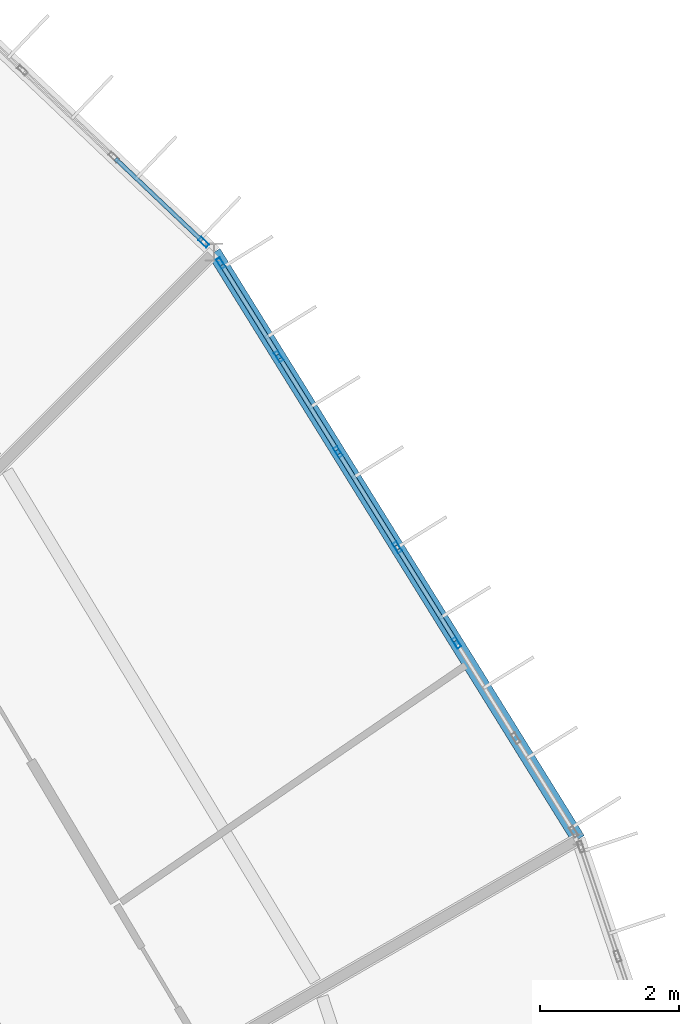
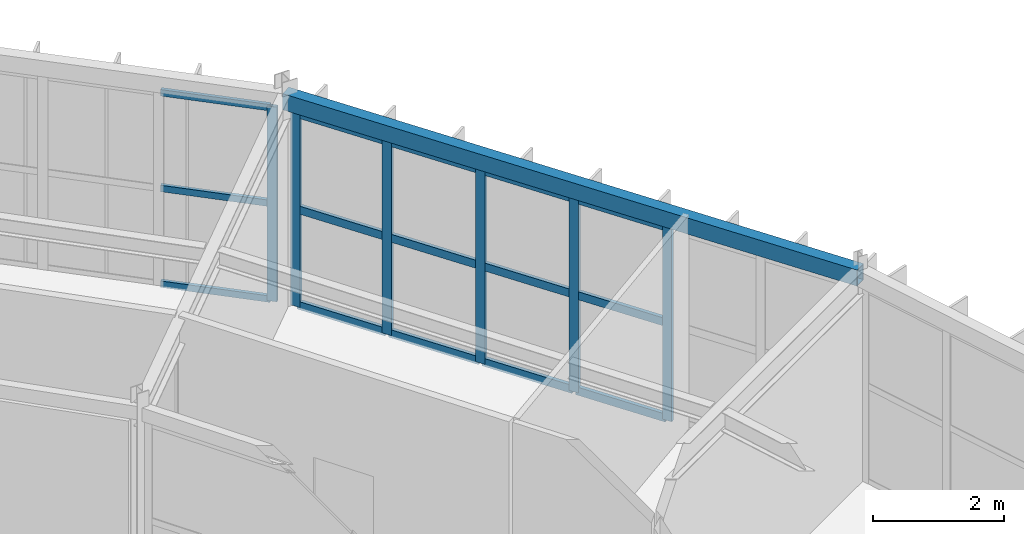
# One storey, part 98 of 157: 21 members, 1 beam, 2 elements without a shape of their own.
"""IFC4 building model written with IfcOpenShell, lengths in metres."""

from ifc_helpers import new_model, si_unit, direction, frame, origin, origin_2d, place, context, subcontext, project, spatial, hollow_rectangle, extrude, material, material_profile, profile_set, type_object, element, aggregate, save


model = new_model("IFC4")

# Units and contexts
model_context = context("Model", 3, precision=1e-05, world=origin(), true_north=direction((0.0, 1.0)))
body_context = subcontext(model_context, "Body", "Model", "MODEL_VIEW")
ifc_project = project(units=[si_unit("LENGTHUNIT", "METRE"), si_unit("AREAUNIT", "SQUARE_METRE"), si_unit("VOLUMEUNIT", "CUBIC_METRE"), si_unit("PLANEANGLEUNIT", "RADIAN"), si_unit("MASSUNIT", "GRAM", prefix="KILO")], contexts=[model_context])

# Site, building, storey
site_placement = place(None, origin())
site = spatial("IfcSite", under=ifc_project, at=site_placement, CompositionType="ELEMENT")
building_placement = place(site_placement, origin())
building = spatial("IfcBuilding", under=site, at=building_placement, Name="Karori Crest Natural Sciences Institute", CompositionType="ELEMENT")
storey_placement = place(building_placement, frame((0.0, 0.0, 13.300048828125)))
storey = spatial("IfcBuildingStorey", under=building, at=storey_placement, Name="L03", CompositionType="ELEMENT", Elevation=13.300048828125)

# Beam
ifc_material_1 = material(Name="Hollow structural steel AS/NZS 1163 Grade C350", Category="steel")
ifc_material_profile_1 = material_profile(ifc_material_1, hollow_rectangle(XDim=0.199951171875, YDim=0.300048828125, WallThickness=0.010009765625, at=origin_2d()), Name="RHS300x200x10")
ifc_profile_set_1 = profile_set([ifc_material_profile_1], Name="Hollow structural steel AS/NZS 1163 Grade C350")
beam_type = type_object("IfcBeamType", Name="BT-15", PredefinedType="SPANDREL", material=ifc_profile_set_1)
beam_placement = place(storey_placement, frame((94.978759765625, 70.300048828125, 3.7900390625), z_axis=(-0.527315195609, 0.849669750244, 0.0), x_axis=(-0.849669750244, -0.527315195609, 0.0)))
element("IfcBeam", 1, at=beam_placement, inside=storey, type_object=beam_type, Name="Beam B-0367", PredefinedType="SPANDREL", context=body_context, shape_type="SweptSolid", body=[
    extrude(hollow_rectangle(XDim=0.199951171875, YDim=0.300048828125, WallThickness=0.010009765625, at=origin_2d()), origin(), (0.0, 0.0, 1.0), 9.945068359375),
])

# Curtain wall, members
ifc_material_2 = material(Name="Anodised architectural aluminium 6063-T6", Category="aluminium")
curtain_wall_type_1 = type_object("IfcCurtainWallType", Name="CWT-03", PredefinedType="NOTDEFINED", material=ifc_material_2)
curtain_wall_1_placement = place(storey_placement, origin())
curtain_wall_1 = element("IfcCurtainWall", 2, at=curtain_wall_1_placement, inside=storey, type_object=curtain_wall_type_1, Name="Curtain wall CW-0103", PredefinedType="NOTDEFINED")
ifc_material_profile_2 = material_profile(ifc_material_2, hollow_rectangle(XDim=0.06494140625, YDim=0.159912109375, WallThickness=0.00390625, at=origin_2d()), Name="CWM160x65x4")
ifc_profile_set_2 = profile_set([ifc_material_profile_2], Name="Anodised architectural aluminium 6063-T6")
member_type_1 = type_object("IfcMemberType", Name="CWM-01", PredefinedType="MULLION", material=ifc_profile_set_2)
member_1_placement = place(storey_placement, frame((89.831298828125, 78.593994140625, 0.0), z_axis=(0.0, 0.0, 1.0), x_axis=(0.849661985715, 0.527327706489, 0.0)))
member_1 = element("IfcMember", 3, at=member_1_placement, type_object=member_type_1, Name="CW-0103 mullion 1", PredefinedType="MULLION", context=body_context, shape_type="SweptSolid", body=[
    extrude(hollow_rectangle(XDim=0.06494140625, YDim=0.159912109375, WallThickness=0.00390625, at=origin_2d()), origin(), (0.0, 0.0, 1.0), 3.625),
])
member_2_placement = place(storey_placement, frame((90.666748046875, 77.248046875, 0.0), z_axis=(0.0, 0.0, 1.0), x_axis=(0.849661985715, 0.527327706489, 0.0)))
member_2 = element("IfcMember", 4, at=member_2_placement, type_object=member_type_1, Name="CW-0103 mullion 2", PredefinedType="MULLION", context=body_context, shape_type="SweptSolid", body=[
    extrude(hollow_rectangle(XDim=0.06494140625, YDim=0.159912109375, WallThickness=0.00390625, at=origin_2d()), origin(), (0.0, 0.0, 1.0), 3.625),
])
member_3_placement = place(storey_placement, frame((91.519287109375, 75.874267578125, 0.0), z_axis=(0.0, 0.0, 1.0), x_axis=(0.849661985715, 0.527327706489, 0.0)))
member_3 = element("IfcMember", 5, at=member_3_placement, type_object=member_type_1, Name="CW-0103 mullion 3", PredefinedType="MULLION", context=body_context, shape_type="SweptSolid", body=[
    extrude(hollow_rectangle(XDim=0.06494140625, YDim=0.159912109375, WallThickness=0.00390625, at=origin_2d()), origin(), (0.0, 0.0, 1.0), 3.625),
])
member_4_placement = place(storey_placement, frame((92.371826171875, 74.50048828125, 0.0), z_axis=(0.0, 0.0, 1.0), x_axis=(0.849661985715, 0.527327706489, 0.0)))
member_4 = element("IfcMember", 6, at=member_4_placement, type_object=member_type_1, Name="CW-0103 mullion 4", PredefinedType="MULLION", context=body_context, shape_type="SweptSolid", body=[
    extrude(hollow_rectangle(XDim=0.06494140625, YDim=0.159912109375, WallThickness=0.00390625, at=origin_2d()), origin(), (0.0, 0.0, 1.0), 3.625),
])
member_5_placement = place(storey_placement, frame((93.224365234375, 73.126708984375, 0.0), z_axis=(0.0, 0.0, 1.0), x_axis=(0.849661985715, 0.527327706489, 0.0)))
member_5 = element("IfcMember", 7, at=member_5_placement, type_object=member_type_1, Name="CW-0103 mullion 5", PredefinedType="MULLION", context=body_context, shape_type="SweptSolid", body=[
    extrude(hollow_rectangle(XDim=0.06494140625, YDim=0.159912109375, WallThickness=0.00390625, at=origin_2d()), origin(), (0.0, 0.0, 1.0), 3.625),
])

curtain_wall_type_2 = type_object("IfcCurtainWallType", Name="CWT-04", PredefinedType="NOTDEFINED", material=ifc_material_2)
curtain_wall_2_placement = place(storey_placement, origin())
curtain_wall_2 = element("IfcCurtainWall", 8, at=curtain_wall_2_placement, inside=storey, type_object=curtain_wall_type_2, Name="Curtain wall CW-0105", PredefinedType="NOTDEFINED")
member_6_placement = place(storey_placement, frame((89.58447265625, 78.892333984375, 0.0), z_axis=(0.0, 0.0, 1.0), x_axis=(0.688252251648, 0.725471459192, 0.0)))
member_6 = element("IfcMember", 9, at=member_6_placement, type_object=member_type_1, Name="CW-0105 mullion 6", PredefinedType="MULLION", context=body_context, shape_type="SweptSolid", body=[
    extrude(hollow_rectangle(XDim=0.06494140625, YDim=0.159912109375, WallThickness=0.00390625, at=origin_2d()), origin(), (0.0, 0.0, 1.0), 3.625),
])
ifc_material_profile_3 = material_profile(ifc_material_2, hollow_rectangle(XDim=0.06005859375, YDim=0.1201171875, WallThickness=0.00390625, at=origin_2d()), Name="CWT120x60x4")
ifc_profile_set_3 = profile_set([ifc_material_profile_3], Name="Anodised architectural aluminium 6063-T6")
member_type_2 = type_object("IfcMemberType", Name="CWT-TR1", PredefinedType="USERDEFINED", material=ifc_profile_set_3)
member_7_placement = place(storey_placement, frame((88.315185546875, 80.0966796875, 0.030029296875), z_axis=(0.725418188491, -0.688308398762, 0.0), x_axis=(0.688308398762, 0.725418188491, 0.0)))
member_7 = element("IfcMember", 10, at=member_7_placement, type_object=member_type_2, Name="CW-0105 transom 5.1", ObjectType="TRANSOM", PredefinedType="USERDEFINED", context=body_context, shape_type="SweptSolid", body=[
    extrude(hollow_rectangle(XDim=0.06005859375, YDim=0.1201171875, WallThickness=0.00390625, at=origin_2d()), origin(), (0.0, 0.0, 1.0), 1.717041015625),
])
member_8_placement = place(storey_placement, frame((88.315185546875, 80.0966796875, 1.8125), z_axis=(0.725418188491, -0.688308398762, 0.0), x_axis=(0.688308398762, 0.725418188491, 0.0)))
member_8 = element("IfcMember", 11, at=member_8_placement, type_object=member_type_2, Name="CW-0105 transom 5.2", ObjectType="TRANSOM", PredefinedType="USERDEFINED", context=body_context, shape_type="SweptSolid", body=[
    extrude(hollow_rectangle(XDim=0.06005859375, YDim=0.1201171875, WallThickness=0.00390625, at=origin_2d()), origin(), (0.0, 0.0, 1.0), 1.717041015625),
])
member_9_placement = place(storey_placement, frame((88.315185546875, 80.0966796875, 3.594970703125), z_axis=(0.725418188491, -0.688308398762, 0.0), x_axis=(0.688308398762, 0.725418188491, 0.0)))
member_9 = element("IfcMember", 12, at=member_9_placement, type_object=member_type_2, Name="CW-0105 transom 5.3", ObjectType="TRANSOM", PredefinedType="USERDEFINED", context=body_context, shape_type="SweptSolid", body=[
    extrude(hollow_rectangle(XDim=0.06005859375, YDim=0.1201171875, WallThickness=0.00390625, at=origin_2d()), origin(), (0.0, 0.0, 1.0), 1.717041015625),
])
aggregate(curtain_wall_2, [member_6, member_7, member_8, member_9])

# Member
ifc_material_profile_4 = material_profile(ifc_material_2, hollow_rectangle(XDim=0.06494140625, YDim=0.14990234375, WallThickness=0.00390625, at=origin_2d()), Name="CWT150x65x4")
ifc_profile_set_4 = profile_set([ifc_material_profile_4], Name="Anodised architectural aluminium 6063-T6")
member_type_3 = type_object("IfcMemberType", Name="CWT-TR2", PredefinedType="USERDEFINED", material=ifc_profile_set_4)
member_10_placement = place(storey_placement, frame((89.848388671875, 78.56640625, 0.032470703125), z_axis=(0.527410863432, -0.84961037019, 0.0), x_axis=(0.84961037019, 0.527410863432, 0.0)))
member_10 = element("IfcMember", 13, at=member_10_placement, type_object=member_type_3, Name="CW-0103 transom 1.1", ObjectType="TRANSOM", PredefinedType="USERDEFINED", context=body_context, shape_type="SweptSolid", body=[
    extrude(hollow_rectangle(XDim=0.06494140625, YDim=0.14990234375, WallThickness=0.00390625, at=origin_2d()), origin(), (0.0, 0.0, 1.0), 1.519287109375),
])

member_11_placement = place(storey_placement, frame((89.848388671875, 78.56640625, 1.8125), z_axis=(0.527410863432, -0.84961037019, 0.0), x_axis=(0.84961037019, 0.527410863432, 0.0)))
member_11 = element("IfcMember", 14, at=member_11_placement, type_object=member_type_3, Name="CW-0103 transom 1.2", ObjectType="TRANSOM", PredefinedType="USERDEFINED", context=body_context, shape_type="SweptSolid", body=[
    extrude(hollow_rectangle(XDim=0.06494140625, YDim=0.14990234375, WallThickness=0.00390625, at=origin_2d()), origin(), (0.0, 0.0, 1.0), 1.519287109375),
])

member_12_placement = place(storey_placement, frame((89.848388671875, 78.56640625, 3.592529296875), z_axis=(0.527410863432, -0.84961037019, 0.0), x_axis=(0.84961037019, 0.527410863432, 0.0)))
member_12 = element("IfcMember", 15, at=member_12_placement, type_object=member_type_3, Name="CW-0103 transom 1.3", ObjectType="TRANSOM", PredefinedType="USERDEFINED", context=body_context, shape_type="SweptSolid", body=[
    extrude(hollow_rectangle(XDim=0.06494140625, YDim=0.14990234375, WallThickness=0.00390625, at=origin_2d()), origin(), (0.0, 0.0, 1.0), 1.519287109375),
])

member_13_placement = place(storey_placement, frame((90.683837890625, 77.220458984375, 0.032470703125), z_axis=(0.527323700977, -0.849664471652, 0.0), x_axis=(0.849664471652, 0.527323700977, 0.0)))
member_13 = element("IfcMember", 16, at=member_13_placement, type_object=member_type_3, Name="CW-0103 transom 2.1", ObjectType="TRANSOM", PredefinedType="USERDEFINED", context=body_context, shape_type="SweptSolid", body=[
    extrude(hollow_rectangle(XDim=0.06494140625, YDim=0.14990234375, WallThickness=0.00390625, at=origin_2d()), origin(), (0.0, 0.0, 1.0), 1.552001953125),
])

member_14_placement = place(storey_placement, frame((90.683837890625, 77.220458984375, 1.8125), z_axis=(0.527323700977, -0.849664471652, 0.0), x_axis=(0.849664471652, 0.527323700977, 0.0)))
member_14 = element("IfcMember", 17, at=member_14_placement, type_object=member_type_3, Name="CW-0103 transom 2.2", ObjectType="TRANSOM", PredefinedType="USERDEFINED", context=body_context, shape_type="SweptSolid", body=[
    extrude(hollow_rectangle(XDim=0.06494140625, YDim=0.14990234375, WallThickness=0.00390625, at=origin_2d()), origin(), (0.0, 0.0, 1.0), 1.552001953125),
])

member_15_placement = place(storey_placement, frame((90.683837890625, 77.220458984375, 3.592529296875), z_axis=(0.527323700977, -0.849664471652, 0.0), x_axis=(0.849664471652, 0.527323700977, 0.0)))
member_15 = element("IfcMember", 18, at=member_15_placement, type_object=member_type_3, Name="CW-0103 transom 2.3", ObjectType="TRANSOM", PredefinedType="USERDEFINED", context=body_context, shape_type="SweptSolid", body=[
    extrude(hollow_rectangle(XDim=0.06494140625, YDim=0.14990234375, WallThickness=0.00390625, at=origin_2d()), origin(), (0.0, 0.0, 1.0), 1.552001953125),
])

member_16_placement = place(storey_placement, frame((91.536376953125, 75.8466796875, 0.032470703125), z_axis=(0.527323700977, -0.849664471652, 0.0), x_axis=(0.849664471652, 0.527323700977, 0.0)))
member_16 = element("IfcMember", 19, at=member_16_placement, type_object=member_type_3, Name="CW-0103 transom 3.1", ObjectType="TRANSOM", PredefinedType="USERDEFINED", context=body_context, shape_type="SweptSolid", body=[
    extrude(hollow_rectangle(XDim=0.06494140625, YDim=0.14990234375, WallThickness=0.00390625, at=origin_2d()), origin(), (0.0, 0.0, 1.0), 1.552001953125),
])

member_17_placement = place(storey_placement, frame((91.536376953125, 75.8466796875, 1.8125), z_axis=(0.527323700977, -0.849664471652, 0.0), x_axis=(0.849664471652, 0.527323700977, 0.0)))
member_17 = element("IfcMember", 20, at=member_17_placement, type_object=member_type_3, Name="CW-0103 transom 3.2", ObjectType="TRANSOM", PredefinedType="USERDEFINED", context=body_context, shape_type="SweptSolid", body=[
    extrude(hollow_rectangle(XDim=0.06494140625, YDim=0.14990234375, WallThickness=0.00390625, at=origin_2d()), origin(), (0.0, 0.0, 1.0), 1.552001953125),
])

member_18_placement = place(storey_placement, frame((91.536376953125, 75.8466796875, 3.592529296875), z_axis=(0.527323700977, -0.849664471652, 0.0), x_axis=(0.849664471652, 0.527323700977, 0.0)))
member_18 = element("IfcMember", 21, at=member_18_placement, type_object=member_type_3, Name="CW-0103 transom 3.3", ObjectType="TRANSOM", PredefinedType="USERDEFINED", context=body_context, shape_type="SweptSolid", body=[
    extrude(hollow_rectangle(XDim=0.06494140625, YDim=0.14990234375, WallThickness=0.00390625, at=origin_2d()), origin(), (0.0, 0.0, 1.0), 1.552001953125),
])

member_19_placement = place(storey_placement, frame((92.388916015625, 74.472900390625, 0.032470703125), z_axis=(0.527323700977, -0.849664471652, 0.0), x_axis=(0.849664471652, 0.527323700977, 0.0)))
member_19 = element("IfcMember", 22, at=member_19_placement, type_object=member_type_3, Name="CW-0103 transom 4.1", ObjectType="TRANSOM", PredefinedType="USERDEFINED", context=body_context, shape_type="SweptSolid", body=[
    extrude(hollow_rectangle(XDim=0.06494140625, YDim=0.14990234375, WallThickness=0.00390625, at=origin_2d()), origin(), (0.0, 0.0, 1.0), 1.552001953125),
])

member_20_placement = place(storey_placement, frame((92.388916015625, 74.472900390625, 1.8125), z_axis=(0.527323700977, -0.849664471652, 0.0), x_axis=(0.849664471652, 0.527323700977, 0.0)))
member_20 = element("IfcMember", 23, at=member_20_placement, type_object=member_type_3, Name="CW-0103 transom 4.2", ObjectType="TRANSOM", PredefinedType="USERDEFINED", context=body_context, shape_type="SweptSolid", body=[
    extrude(hollow_rectangle(XDim=0.06494140625, YDim=0.14990234375, WallThickness=0.00390625, at=origin_2d()), origin(), (0.0, 0.0, 1.0), 1.552001953125),
])

member_21_placement = place(storey_placement, frame((92.388916015625, 74.472900390625, 3.592529296875), z_axis=(0.527323700977, -0.849664471652, 0.0), x_axis=(0.849664471652, 0.527323700977, 0.0)))
member_21 = element("IfcMember", 24, at=member_21_placement, type_object=member_type_3, Name="CW-0103 transom 4.3", ObjectType="TRANSOM", PredefinedType="USERDEFINED", context=body_context, shape_type="SweptSolid", body=[
    extrude(hollow_rectangle(XDim=0.06494140625, YDim=0.14990234375, WallThickness=0.00390625, at=origin_2d()), origin(), (0.0, 0.0, 1.0), 1.552001953125),
])

aggregate(curtain_wall_1, [member_1, member_2, member_3, member_4, member_5, member_10, member_11, member_12, member_13, member_14, member_15, member_16, member_17, member_18, member_19, member_20, member_21])

save(model, "model.ifc")
